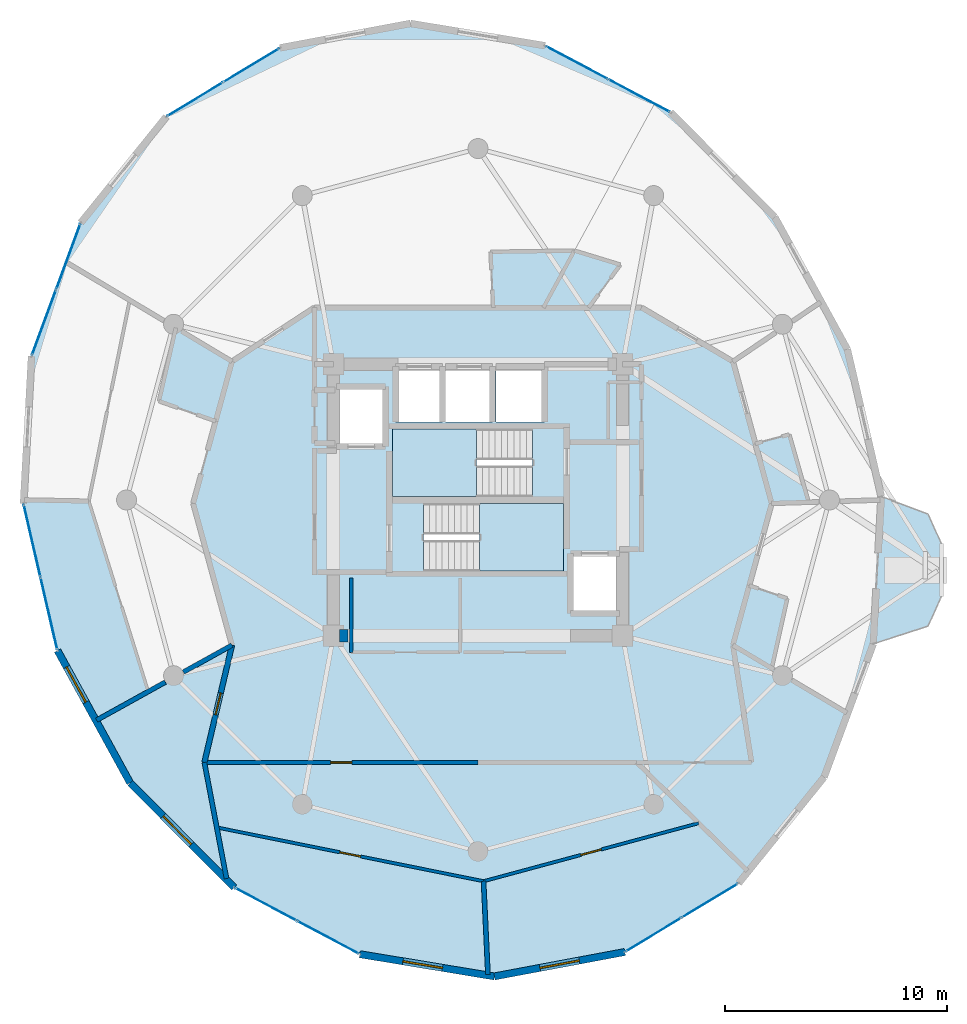
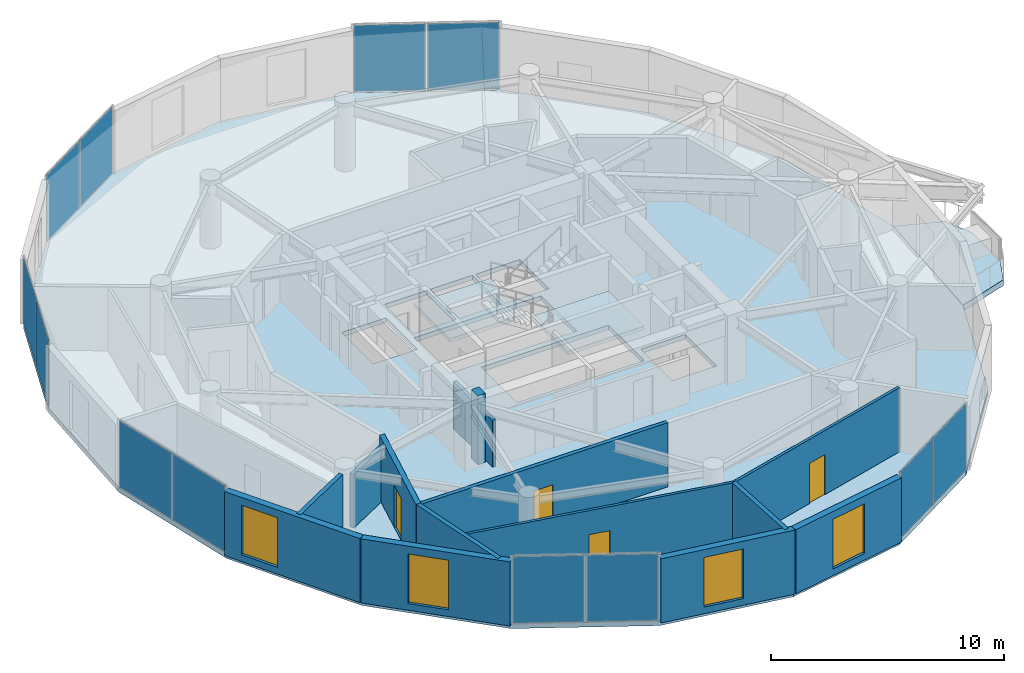
# One storey, part 16 of 21: 14 walls, 12 plates, 4 doors, 4 slabs, 4 windows, 8 openings, 8 elements without a shape of their own.
"""IFC4 building model written with IfcOpenShell, lengths in metres."""

from ifc_helpers import new_model, si_unit, direction, frame, frame_2d, origin, origin_2d, place, context, subcontext, project, spatial, polyline, rectangle, outline, extrude, source, transform, mapped, material, layer, layer_set, type_object, element, fill, aggregate, save


model = new_model("IFC4")

# Units and contexts
model_context = context("Model", 3, precision=1e-05, world=origin(), true_north=direction((0.0, 1.0)))
body_context = subcontext(model_context, "Body", "Model", "MODEL_VIEW")
ifc_project = project(units=[si_unit("LENGTHUNIT", "METRE"), si_unit("AREAUNIT", "SQUARE_METRE"), si_unit("VOLUMEUNIT", "CUBIC_METRE"), si_unit("PLANEANGLEUNIT", "RADIAN"), si_unit("MASSUNIT", "GRAM", prefix="KILO")], contexts=[model_context])

# Site, building, storey
site_placement = place(None, origin())
site = spatial("IfcSite", under=ifc_project, at=site_placement, CompositionType="ELEMENT")
building_placement = place(site_placement, origin())
building = spatial("IfcBuilding", under=site, at=building_placement, Name="Solvirekh Grand Hotel", CompositionType="ELEMENT")
storey_placement = place(building_placement, frame((0.0, 0.0, 216.39990234375)))
storey = spatial("IfcBuildingStorey", under=building, at=storey_placement, Name="L56", CompositionType="ELEMENT", Elevation=216.39990234375)

# Slab
ifc_material_1 = material(Name="Concrete C50/60", Category="concrete")
ifc_layer_1 = layer(ifc_material_1, 0.31005859375)
ifc_layer_set_1 = layer_set([ifc_layer_1], Name="Concrete C50/60")
slab_type_1 = type_object("IfcSlabType", Name="ExtHornSkyGarden_310", PredefinedType="FLOOR", material=ifc_layer_set_1)
slab_1_placement = place(storey_placement, frame((0.0, 0.0, -0.309814453125)))
element("IfcSlab", 1, at=slab_1_placement, inside=storey, type_object=slab_type_1, Name="L56 east horn sky-garden deck", PredefinedType="FLOOR", context=body_context, shape_type="SweptSolid", body=[
    extrude(outline(polyline([(18.12890625, 0.160888671875), (17.76806640625, -6.466064453125), (20.22900390625, -5.6708984375), (20.8291015625, -4.344970703125), (20.8291015625, -1.9599609375), (20.22900390625, -0.634033203125), (18.12890625, 0.160888671875)])), origin(), (0.0, 0.0, 1.0), 0.309814453125),
])

# Stair, slab
ifc_material_2 = material(Name="Concrete C40/50", Category="concrete")
stair_type = type_object("IfcStairType", Name="Stair_Core_1450", PredefinedType="HALF_TURN_STAIR", material=ifc_material_2)
stair_1_placement = place(storey_placement, origin())
stair_1 = element("IfcStair", 2, at=stair_1_placement, inside=storey, type_object=stair_type, Name="L56 Enclosed exit stair ST-1", PredefinedType="HALF_TURN_STAIR")
ifc_layer_2 = layer(ifc_material_2, 0.199951171875)
ifc_layer_set_2 = layer_set([ifc_layer_2], Name="Concrete C40/50")
slab_type_2 = type_object("IfcSlabType", Name="Landing_Stair_200", PredefinedType="LANDING", material=ifc_layer_set_2)
slab_2_placement = place(storey_placement, frame((0.0, 0.0, 1.60009765625)))
slab_2 = element("IfcSlab", 3, at=slab_2_placement, type_object=slab_type_2, Name="ST-1 landing 1", PredefinedType="LANDING", context=body_context, shape_type="SweptSolid", body=[
    extrude(outline(polyline([(0.070068359375, -3.199951171875), (3.85009765625, -3.199951171875), (3.85009765625, -0.14990234375), (0.070068359375, -0.14990234375), (0.070068359375, -3.199951171875)])), origin(), (0.0, 0.0, 1.0), 0.199951171875),
])
aggregate(stair_1, [slab_2])

stair_2_placement = place(storey_placement, origin())
stair_2 = element("IfcStair", 4, at=stair_2_placement, inside=storey, type_object=stair_type, Name="L56 Enclosed exit stair ST-2", PredefinedType="HALF_TURN_STAIR")
slab_3_placement = place(storey_placement, frame((0.0, 0.0, 1.60009765625)))
slab_3 = element("IfcSlab", 5, at=slab_3_placement, type_object=slab_type_2, Name="ST-2 landing 1", PredefinedType="LANDING", context=body_context, shape_type="SweptSolid", body=[
    extrude(outline(polyline([(-0.070068359375, 3.199951171875), (-3.85009765625, 3.199951171875), (-3.85009765625, 0.14990234375), (-0.070068359375, 0.14990234375), (-0.070068359375, 3.199951171875)])), origin(), (0.0, 0.0, 1.0), 0.199951171875),
])
aggregate(stair_2, [slab_3])

# Slab
ifc_layer_3 = layer(ifc_material_2, 0.239990234375)
ifc_layer_set_3 = layer_set([ifc_layer_3], Name="Concrete C40/50")
slab_type_3 = type_object("IfcSlabType", Name="Slab_GuestZ3_240", PredefinedType="FLOOR", material=ifc_layer_set_3)
slab_4_placement = place(storey_placement, frame((0.0, 0.0, -0.239990234375)))
element("IfcSlab", 6, at=slab_4_placement, inside=storey, type_object=slab_type_3, Name="L56 structural floor slab", PredefinedType="FLOOR", context=body_context, shape_type="SweptSolid", body=[
    extrude(outline(polyline([(6.60205078125, -20.322021484375), (11.7080078125, -17.23388671875), (15.555908203125, -12.4599609375), (17.76806640625, -6.466064453125), (18.12890625, 0.160888671875), (16.60205078125, 6.77197265625), (13.337890625, 12.719970703125), (8.655029296875, 17.423095703125), (3.012939453125, 20.4208984375), (-3.037109375, 21.419921875), (-8.902099609375, 20.322021484375), (-14.008056640625, 17.23388671875), (-17.85595703125, 12.4599609375), (-20.068115234375, 6.466064453125), (-20.428955078125, -0.160888671875), (-18.902099609375, -6.77197265625), (-15.637939453125, -12.719970703125), (-10.955078125, -17.423095703125), (-5.31298828125, -20.4208984375), (0.737060546875, -21.419921875), (6.60205078125, -20.322021484375)]), holes=[polyline([(-2.444091796875, -0.14990234375), (3.85009765625, -0.14990234375), (3.85009765625, -3.199951171875), (-2.444091796875, -3.199951171875), (-2.444091796875, -0.14990234375)]), polyline([(2.444091796875, 0.14990234375), (-3.85009765625, 0.14990234375), (-3.85009765625, 3.199951171875), (2.444091796875, 3.199951171875), (2.444091796875, 0.14990234375)]), polyline([(-3.699951171875, 6.0), (-1.60009765625, 6.0), (-1.60009765625, 3.5), (-3.699951171875, 3.5), (-3.699951171875, 6.0)]), polyline([(-1.449951171875, 6.0), (0.64990234375, 6.0), (0.64990234375, 3.5), (-1.449951171875, 3.5), (-1.449951171875, 6.0)]), polyline([(0.800048828125, 6.0), (3.0, 6.0), (3.0, 3.5), (0.800048828125, 3.5), (0.800048828125, 6.0)]), polyline([(-6.35009765625, 5.10009765625), (-4.14990234375, 5.10009765625), (-4.14990234375, 2.39990234375), (-6.35009765625, 2.39990234375), (-6.35009765625, 5.10009765625)]), polyline([(4.14990234375, -2.39990234375), (6.35009765625, -2.39990234375), (6.35009765625, -5.10009765625), (4.14990234375, -5.10009765625), (4.14990234375, -2.39990234375)])]), origin(), (0.0, 0.0, 1.0), 0.239990234375),
])

# Curtain wall, plates
ifc_material_3 = material(Name="Anodized Bronze Aluminium 6063-T6", Category="aluminium")
ifc_layer_4 = layer(ifc_material_3, 0.159912109375)
ifc_layer_set_4 = layer_set([ifc_layer_4], Name="Anodized Bronze Aluminium 6063-T6")
curtain_wall_type = type_object("IfcCurtainWallType", Name="CW_Sys4_HighZoneFlushBronzeCW", PredefinedType="NOTDEFINED", material=ifc_layer_set_4)
curtain_wall_1_placement = place(storey_placement, origin())
curtain_wall_1 = element("IfcCurtainWall", 7, at=curtain_wall_1_placement, inside=storey, type_object=curtain_wall_type, Name="L56 unitised bronze-glass curtain wall CW-L56-C15", PredefinedType="NOTDEFINED")
ifc_material_4 = material(Name="Low-E Tinted Bronze Laminated Glass", Category="aluminium")
ifc_layer_5 = layer(ifc_material_4, 0.033935546875)
ifc_layer_set_5 = layer_set([ifc_layer_5], Name="Low-E Tinted Bronze Laminated Glass")
plate_type = type_object("IfcPlateType", Name="CWPanel_High_34", PredefinedType="CURTAIN_PANEL", material=ifc_layer_set_5)
shared_shape_1 = source(origin(), body_context, "Body", "SweptSolid", [
    extrude(rectangle(XDim=3.302490234375, YDim=0.033935546875, at=origin_2d()), origin(), (0.0, 0.0, 1.0), 3.489990234375),
])
plate_1_placement = place(storey_placement, frame((-20.0439453125, -1.828369140625, 0.05517578125), z_axis=(0.0, 0.0, 1.0), x_axis=(0.22505325243, -0.974346464853, 0.0)))
plate_1 = element("IfcPlate", 8, at=plate_1_placement, type_object=plate_type, Name="U04 panel 1.1", PredefinedType="CURTAIN_PANEL", context=body_context, shape_type="MappedRepresentation", body=[
    mapped(shared_shape_1, transform((0.0, 0.0, 0.0), x_axis=(1.0, 0.0, 0.0), y_axis=(0.0, 1.0, 0.0), z_axis=(0.0, 0.0, 1.0), scale=1.0)),
])
plate_2_placement = place(storey_placement, frame((-19.287109375, -5.104736328125, 0.05517578125), z_axis=(0.0, 0.0, 1.0), x_axis=(0.22505325243, -0.974346464853, 0.0)))
plate_2 = element("IfcPlate", 9, at=plate_2_placement, type_object=plate_type, Name="U04 panel 2.1", PredefinedType="CURTAIN_PANEL", context=body_context, shape_type="MappedRepresentation", body=[
    mapped(shared_shape_1, transform((0.0, 0.0, 0.0), x_axis=(1.0, 0.0, 0.0), y_axis=(0.0, 1.0, 0.0), z_axis=(0.0, 0.0, 1.0), scale=1.0)),
])
aggregate(curtain_wall_1, [plate_1, plate_2])

curtain_wall_2_placement = place(storey_placement, origin())
curtain_wall_2 = element("IfcCurtainWall", 10, at=curtain_wall_2_placement, inside=storey, type_object=curtain_wall_type, Name="L56 unitised bronze-glass curtain wall CW-L56-C01", PredefinedType="NOTDEFINED")
shared_shape_2 = source(origin(), body_context, "Body", "SweptSolid", [
    extrude(rectangle(XDim=2.8935546875, YDim=0.033935546875, at=origin_2d()), origin(), (0.0, 0.0, 1.0), 3.489990234375),
])
plate_3_placement = place(storey_placement, frame((7.891357421875, -19.542236328125, 0.05517578125), z_axis=(0.0, 0.0, 1.0), x_axis=(0.855683662575, 0.517499245993, 0.0)))
plate_3 = element("IfcPlate", 11, at=plate_3_placement, type_object=plate_type, Name="U04 panel 1.1", PredefinedType="CURTAIN_PANEL", context=body_context, shape_type="MappedRepresentation", body=[
    mapped(shared_shape_2, transform((0.0, 0.0, 0.0), x_axis=(1.0, 0.0, 0.0), y_axis=(0.0, 1.0, 0.0), z_axis=(0.0, 0.0, 1.0), scale=1.0)),
])
plate_4_placement = place(storey_placement, frame((10.418701171875, -18.013671875, 0.05517578125), z_axis=(0.0, 0.0, 1.0), x_axis=(0.855683662575, 0.517499245993, 0.0)))
plate_4 = element("IfcPlate", 12, at=plate_4_placement, type_object=plate_type, Name="U04 panel 2.1", PredefinedType="CURTAIN_PANEL", context=body_context, shape_type="MappedRepresentation", body=[
    mapped(shared_shape_2, transform((0.0, 0.0, 0.0), x_axis=(1.0, 0.0, 0.0), y_axis=(0.0, 1.0, 0.0), z_axis=(0.0, 0.0, 1.0), scale=1.0)),
])
aggregate(curtain_wall_2, [plate_3, plate_4])

curtain_wall_3_placement = place(storey_placement, origin())
curtain_wall_3 = element("IfcCurtainWall", 13, at=curtain_wall_3_placement, inside=storey, type_object=curtain_wall_type, Name="L56 unitised bronze-glass curtain wall CW-L56-C11", PredefinedType="NOTDEFINED")
plate_5_placement = place(storey_placement, frame((-10.19140625, 19.542236328125, 0.05517578125), z_axis=(0.0, 0.0, 1.0), x_axis=(-0.855683662575, -0.517499245993, 0.0)))
plate_5 = element("IfcPlate", 14, at=plate_5_placement, type_object=plate_type, Name="U04 panel 1.1", PredefinedType="CURTAIN_PANEL", context=body_context, shape_type="MappedRepresentation", body=[
    mapped(shared_shape_2, transform((0.0, 0.0, 0.0), x_axis=(1.0, 0.0, 0.0), y_axis=(0.0, 1.0, 0.0), z_axis=(0.0, 0.0, 1.0), scale=1.0)),
])
plate_6_placement = place(storey_placement, frame((-12.71875, 18.013671875, 0.05517578125), z_axis=(0.0, 0.0, 1.0), x_axis=(-0.855683662575, -0.517499245993, 0.0)))
plate_6 = element("IfcPlate", 15, at=plate_6_placement, type_object=plate_type, Name="U04 panel 2.1", PredefinedType="CURTAIN_PANEL", context=body_context, shape_type="MappedRepresentation", body=[
    mapped(shared_shape_2, transform((0.0, 0.0, 0.0), x_axis=(1.0, 0.0, 0.0), y_axis=(0.0, 1.0, 0.0), z_axis=(0.0, 0.0, 1.0), scale=1.0)),
])
aggregate(curtain_wall_3, [plate_5, plate_6])

curtain_wall_4_placement = place(storey_placement, origin())
curtain_wall_4 = element("IfcCurtainWall", 16, at=curtain_wall_4_placement, inside=storey, type_object=curtain_wall_type, Name="L56 unitised bronze-glass curtain wall CW-L56-C08", PredefinedType="NOTDEFINED")
shared_shape_3 = source(origin(), body_context, "Body", "SweptSolid", [
    extrude(rectangle(XDim=3.1044921875, YDim=0.033935546875, at=origin_2d()), origin(), (0.0, 0.0, 1.0), 3.489990234375),
])
plate_7_placement = place(storey_placement, frame((7.231201171875, 18.179443359375, 0.05517578125), z_axis=(0.0, 0.0, 1.0), x_axis=(-0.883071132447, 0.469239144829, 0.0)))
plate_7 = element("IfcPlate", 17, at=plate_7_placement, type_object=plate_type, Name="U04 panel 1.1", PredefinedType="CURTAIN_PANEL", context=body_context, shape_type="MappedRepresentation", body=[
    mapped(shared_shape_3, transform((0.0, 0.0, 0.0), x_axis=(1.0, 0.0, 0.0), y_axis=(0.0, 1.0, 0.0), z_axis=(0.0, 0.0, 1.0), scale=1.0)),
])
plate_8_placement = place(storey_placement, frame((4.436767578125, 19.66455078125, 0.05517578125), z_axis=(0.0, 0.0, 1.0), x_axis=(-0.883071132447, 0.469239144829, 0.0)))
plate_8 = element("IfcPlate", 18, at=plate_8_placement, type_object=plate_type, Name="U04 panel 2.1", PredefinedType="CURTAIN_PANEL", context=body_context, shape_type="MappedRepresentation", body=[
    mapped(shared_shape_3, transform((0.0, 0.0, 0.0), x_axis=(1.0, 0.0, 0.0), y_axis=(0.0, 1.0, 0.0), z_axis=(0.0, 0.0, 1.0), scale=1.0)),
])
aggregate(curtain_wall_4, [plate_7, plate_8])

curtain_wall_5_placement = place(storey_placement, origin())
curtain_wall_5 = element("IfcCurtainWall", 19, at=curtain_wall_5_placement, inside=storey, type_object=curtain_wall_type, Name="L56 unitised bronze-glass curtain wall CW-L56-C13", PredefinedType="NOTDEFINED")
plate_9_placement = place(storey_placement, frame((-18.414306640625, 10.947509765625, 0.05517578125), z_axis=(0.0, 0.0, 1.0), x_axis=(-0.34621303032, -0.938155923947, 0.0)))
plate_9 = element("IfcPlate", 20, at=plate_9_placement, type_object=plate_type, Name="U04 panel 1.1", PredefinedType="CURTAIN_PANEL", context=body_context, shape_type="MappedRepresentation", body=[
    mapped(shared_shape_3, transform((0.0, 0.0, 0.0), x_axis=(1.0, 0.0, 0.0), y_axis=(0.0, 1.0, 0.0), z_axis=(0.0, 0.0, 1.0), scale=1.0)),
])
plate_10_placement = place(storey_placement, frame((-19.509765625, 7.978515625, 0.05517578125), z_axis=(0.0, 0.0, 1.0), x_axis=(-0.34621303032, -0.938155923947, 0.0)))
plate_10 = element("IfcPlate", 21, at=plate_10_placement, type_object=plate_type, Name="U04 panel 2.1", PredefinedType="CURTAIN_PANEL", context=body_context, shape_type="MappedRepresentation", body=[
    mapped(shared_shape_3, transform((0.0, 0.0, 0.0), x_axis=(1.0, 0.0, 0.0), y_axis=(0.0, 1.0, 0.0), z_axis=(0.0, 0.0, 1.0), scale=1.0)),
])
aggregate(curtain_wall_5, [plate_9, plate_10])

curtain_wall_6_placement = place(storey_placement, origin())
curtain_wall_6 = element("IfcCurtainWall", 22, at=curtain_wall_6_placement, inside=storey, type_object=curtain_wall_type, Name="L56 unitised bronze-glass curtain wall CW-L56-C18", PredefinedType="NOTDEFINED")
plate_11_placement = place(storey_placement, frame((-9.53125, -18.179443359375, 0.05517578125), z_axis=(0.0, 0.0, 1.0), x_axis=(0.883071132447, -0.469239144829, 0.0)))
plate_11 = element("IfcPlate", 23, at=plate_11_placement, type_object=plate_type, Name="U04 panel 1.1", PredefinedType="CURTAIN_PANEL", context=body_context, shape_type="MappedRepresentation", body=[
    mapped(shared_shape_3, transform((0.0, 0.0, 0.0), x_axis=(1.0, 0.0, 0.0), y_axis=(0.0, 1.0, 0.0), z_axis=(0.0, 0.0, 1.0), scale=1.0)),
])
plate_12_placement = place(storey_placement, frame((-6.73681640625, -19.66455078125, 0.05517578125), z_axis=(0.0, 0.0, 1.0), x_axis=(0.883071132447, -0.469239144829, 0.0)))
plate_12 = element("IfcPlate", 24, at=plate_12_placement, type_object=plate_type, Name="U04 panel 2.1", PredefinedType="CURTAIN_PANEL", context=body_context, shape_type="MappedRepresentation", body=[
    mapped(shared_shape_3, transform((0.0, 0.0, 0.0), x_axis=(1.0, 0.0, 0.0), y_axis=(0.0, 1.0, 0.0), z_axis=(0.0, 0.0, 1.0), scale=1.0)),
])
aggregate(curtain_wall_6, [plate_11, plate_12])

# Wall
ifc_layer_6 = layer(ifc_material_1, 0.550048828125)
ifc_layer_set_6 = layer_set([ifc_layer_6], Name="Concrete C50/60")
wall_type_1 = type_object("IfcWallType", Name="CoreWall_RC550", PredefinedType="SHEAR", material=ifc_layer_set_6)
wall_1_placement = place(storey_placement, frame((-6.22509765625, -6.10009765625, 0.0), z_axis=(0.0, 0.0, 1.0), x_axis=(1.0, 0.0, 0.0)))
element("IfcWall", 25, at=wall_1_placement, inside=storey, type_object=wall_type_1, Name="L56 core corner shear wall SW-S", PredefinedType="SHEAR", context=body_context, shape_type="SweptSolid", body=[
    extrude(rectangle(XDim=0.375, YDim=0.550048828125, at=frame_2d((0.1875, 0.0))), origin(), (0.0, 0.0, 1.0), 3.60009765625),
])

# Wall, opening, window
ifc_material_5 = material(Name="Precast concrete C45/55", Category="concrete")
ifc_layer_7 = layer(ifc_material_5, 0.320068359375)
ifc_layer_set_7 = layer_set([ifc_layer_7], Name="Precast concrete C45/55")
wall_type_2 = type_object("IfcWallType", Name="ExtLobbyWall_RC320", PredefinedType="SOLIDWALL", material=ifc_layer_set_7)
wall_2_placement = place(storey_placement, frame((-15.637939453125, -12.719970703125, 0.0), z_axis=(0.0, 0.0, 1.0), x_axis=(-0.481099413802, 0.876666044762, 0.0)))
wall_2 = element("IfcWall", 26, at=wall_2_placement, inside=storey, type_object=wall_type_2, Name="L56 exterior structural wall chord 16", PredefinedType="SOLIDWALL", context=body_context, shape_type="SweptSolid", body=[
    extrude(rectangle(XDim=6.784912109375, YDim=0.320068359375, at=frame_2d((3.392578125, 0.0))), origin(), (0.0, 0.0, 1.0), 3.360107421875),
])
opening_1_placement = place(wall_2_placement, frame((4.14208984375, 0.0, 0.35009765625)))
opening_1 = element("IfcOpeningElement", 27, at=opening_1_placement, cuts=wall_2, Name="Opening W02", PredefinedType="OPENING", context=body_context, shape_type="SweptSolid", body=[
    extrude(rectangle(XDim=1.800048828125, YDim=2.60009765625, at=frame_2d((0.89990234375, 1.300048828125))), frame((0.0, 0.169921875, 0.0), z_axis=(0.0, -1.0, 0.0), x_axis=(1.0, 0.0, 0.0)), (0.0, 0.0, 1.0), 0.340087890625),
])
window_type = type_object("IfcWindowType", Name="Win_LobbyExt_1800X2600", PartitioningType="SINGLE_PANEL", PredefinedType="WINDOW", material=ifc_material_4)
window_1_placement = place(opening_1_placement, origin())
window_1 = element("IfcWindow", 28, at=window_1_placement, inside=storey, type_object=window_type, Name="L56 panoramic bronze-framed window 16", OverallHeight=2.60009765625, OverallWidth=1.800048828125, PartitioningType="SINGLE_PANEL", PredefinedType="WINDOW", context=body_context, shape_type="SweptSolid", body=[
    extrude(rectangle(XDim=1.800048828125, YDim=2.60009765625, at=frame_2d((0.89990234375, 1.300048828125))), frame((0.0, 0.030029296875, 0.0), z_axis=(0.0, -1.0, 0.0), x_axis=(1.0, 0.0, 0.0)), (0.0, 0.0, 1.0), 0.06005859375),
])
fill(opening_1, window_1)

wall_3_placement = place(storey_placement, frame((-10.955078125, -17.423095703125, 0.0), z_axis=(0.0, 0.0, 1.0), x_axis=(-0.705578543979, 0.708631722601, 0.0)))
wall_3 = element("IfcWall", 29, at=wall_3_placement, inside=storey, type_object=wall_type_2, Name="L56 exterior structural wall chord 17", PredefinedType="SOLIDWALL", context=body_context, shape_type="SweptSolid", body=[
    extrude(rectangle(XDim=6.636962890625, YDim=0.320068359375, at=frame_2d((3.318359375, 0.0))), origin(), (0.0, 0.0, 1.0), 3.360107421875),
])
opening_2_placement = place(wall_3_placement, frame((2.736083984375, 0.0, 0.35009765625)))
opening_2 = element("IfcOpeningElement", 30, at=opening_2_placement, cuts=wall_3, Name="Opening W02", PredefinedType="OPENING", context=body_context, shape_type="SweptSolid", body=[
    extrude(rectangle(XDim=1.800048828125, YDim=2.60009765625, at=frame_2d((0.89990234375, 1.300048828125))), frame((0.0, 0.169921875, 0.0), z_axis=(0.0, -1.0, 0.0), x_axis=(1.0, 0.0, 0.0)), (0.0, 0.0, 1.0), 0.340087890625),
])
window_2_placement = place(opening_2_placement, origin())
window_2 = element("IfcWindow", 31, at=window_2_placement, inside=storey, type_object=window_type, Name="L56 panoramic bronze-framed window 17", OverallHeight=2.60009765625, OverallWidth=1.800048828125, PartitioningType="SINGLE_PANEL", PredefinedType="WINDOW", context=body_context, shape_type="SweptSolid", body=[
    extrude(rectangle(XDim=1.800048828125, YDim=2.60009765625, at=frame_2d((0.89990234375, 1.300048828125))), frame((0.0, 0.030029296875, 0.0), z_axis=(0.0, -1.0, 0.0), x_axis=(1.0, 0.0, 0.0)), (0.0, 0.0, 1.0), 0.06005859375),
])
fill(opening_2, window_2)

wall_4_placement = place(storey_placement, frame((0.737060546875, -21.419921875, 0.0), z_axis=(0.0, 0.0, 1.0), x_axis=(-0.986639234259, 0.162920291618, 0.0)))
wall_4 = element("IfcWall", 32, at=wall_4_placement, inside=storey, type_object=wall_type_2, Name="L56 exterior structural wall chord 19", PredefinedType="SOLIDWALL", context=body_context, shape_type="SweptSolid", body=[
    extrude(rectangle(XDim=6.132080078125, YDim=0.320068359375, at=frame_2d((3.06591796875, 0.0))), origin(), (0.0, 0.0, 1.0), 3.360107421875),
])
opening_3_placement = place(wall_4_placement, frame((2.365966796875, 0.0, 0.35009765625)))
opening_3 = element("IfcOpeningElement", 33, at=opening_3_placement, cuts=wall_4, Name="Opening W02", PredefinedType="OPENING", context=body_context, shape_type="SweptSolid", body=[
    extrude(rectangle(XDim=1.800048828125, YDim=2.60009765625, at=frame_2d((0.89990234375, 1.300048828125))), frame((0.0, 0.169921875, 0.0), z_axis=(0.0, -1.0, 0.0), x_axis=(1.0, 0.0, 0.0)), (0.0, 0.0, 1.0), 0.340087890625),
])
window_3_placement = place(opening_3_placement, origin())
window_3 = element("IfcWindow", 34, at=window_3_placement, inside=storey, type_object=window_type, Name="L56 panoramic bronze-framed window 19", OverallHeight=2.60009765625, OverallWidth=1.800048828125, PartitioningType="SINGLE_PANEL", PredefinedType="WINDOW", context=body_context, shape_type="SweptSolid", body=[
    extrude(rectangle(XDim=1.800048828125, YDim=2.60009765625, at=frame_2d((0.89990234375, 1.300048828125))), frame((0.0, 0.030029296875, 0.0), z_axis=(0.0, -1.0, 0.0), x_axis=(1.0, 0.0, 0.0)), (0.0, 0.0, 1.0), 0.06005859375),
])
fill(opening_3, window_3)

wall_5_placement = place(storey_placement, frame((6.60205078125, -20.322021484375, 0.0), z_axis=(0.0, 0.0, 1.0), x_axis=(-0.982926338905, -0.183999489908, 0.0)))
wall_5 = element("IfcWall", 35, at=wall_5_placement, inside=storey, type_object=wall_type_2, Name="L56 exterior structural wall chord 20", PredefinedType="SOLIDWALL", context=body_context, shape_type="SweptSolid", body=[
    extrude(rectangle(XDim=5.966796875, YDim=0.320068359375, at=frame_2d((2.9833984375, 0.0))), origin(), (0.0, 0.0, 1.0), 3.360107421875),
])
opening_4_placement = place(wall_5_placement, frame((2.0830078125, 0.0, 0.35009765625)))
opening_4 = element("IfcOpeningElement", 36, at=opening_4_placement, cuts=wall_5, Name="Opening W02", PredefinedType="OPENING", context=body_context, shape_type="SweptSolid", body=[
    extrude(rectangle(XDim=1.800048828125, YDim=2.60009765625, at=frame_2d((0.89990234375, 1.300048828125))), frame((0.0, 0.169921875, 0.0), z_axis=(0.0, -1.0, 0.0), x_axis=(1.0, 0.0, 0.0)), (0.0, 0.0, 1.0), 0.340087890625),
])
window_4_placement = place(opening_4_placement, origin())
window_4 = element("IfcWindow", 37, at=window_4_placement, inside=storey, type_object=window_type, Name="L56 panoramic bronze-framed window 20", OverallHeight=2.60009765625, OverallWidth=1.800048828125, PartitioningType="SINGLE_PANEL", PredefinedType="WINDOW", context=body_context, shape_type="SweptSolid", body=[
    extrude(rectangle(XDim=1.800048828125, YDim=2.60009765625, at=frame_2d((0.89990234375, 1.300048828125))), frame((0.0, 0.030029296875, 0.0), z_axis=(0.0, -1.0, 0.0), x_axis=(1.0, 0.0, 0.0)), (0.0, 0.0, 1.0), 0.06005859375),
])
fill(opening_4, window_4)

# Wall
ifc_material_6 = material(Name="Acoustic Gypsum Partition Assembly")
ifc_layer_8 = layer(ifc_material_6, 0.1650390625)
ifc_layer_set_8 = layer_set([ifc_layer_8], Name="Acoustic Gypsum Partition Assembly")
wall_type_3 = type_object("IfcWallType", Name="Part_BOH_165", PredefinedType="PARTITIONING", material=ifc_layer_set_8)
wall_6_placement = place(storey_placement, frame((-5.699951171875, -3.5, 0.0), z_axis=(0.0, 0.0, 1.0), x_axis=(0.0, -1.0, 0.0)))
element("IfcWall", 38, at=wall_6_placement, inside=storey, type_object=wall_type_3, Name="L56 High-Zone Housekeeping Linen Room wall 4", PredefinedType="PARTITIONING", context=body_context, shape_type="SweptSolid", body=[
    extrude(rectangle(XDim=3.35009765625, YDim=0.1650390625, at=frame_2d((1.675048828125, 0.0))), origin(), (0.0, 0.0, 1.0), 2.445068359375),
])

# Wall, opening, door
ifc_layer_9 = layer(ifc_material_6, 0.239990234375)
ifc_layer_set_9 = layer_set([ifc_layer_9], Name="Acoustic Gypsum Partition Assembly")
wall_type_4 = type_object("IfcWallType", Name="Part_Corridor_240", PredefinedType="PARTITIONING", material=ifc_layer_set_9)
wall_7_placement = place(storey_placement, frame((-11.05810546875, -6.52490234375, 0.0), z_axis=(0.0, 0.0, 1.0), x_axis=(-0.229167390813, -0.973387028364, 0.0)))
wall_7 = element("IfcWall", 39, at=wall_7_placement, inside=storey, type_object=wall_type_4, Name="L56 L56 South-West Study Lounge entrance wall", PredefinedType="PARTITIONING", context=body_context, shape_type="SweptSolid", body=[
    extrude(rectangle(XDim=5.41943359375, YDim=0.239990234375, at=frame_2d((2.709716796875, 0.0))), origin(), (0.0, 0.0, 1.0), 3.360107421875),
])
opening_5_placement = place(wall_7_placement, frame((2.2099609375, 0.0, 0.0)))
opening_5 = element("IfcOpeningElement", 40, at=opening_5_placement, cuts=wall_7, Name="Opening D07", PredefinedType="OPENING", context=body_context, shape_type="SweptSolid", body=[
    extrude(rectangle(XDim=1.0, YDim=2.199951171875, at=frame_2d((0.5, 1.10009765625))), frame((0.0, 0.1298828125, 0.0), z_axis=(0.0, -1.0, 0.0), x_axis=(1.0, 0.0, 0.0)), (0.0, 0.0, 1.0), 0.260009765625),
])
ifc_material_7 = material(Name="Fire-Rated Steel Door Assembly", Category="steel")
door_type_1 = type_object("IfcDoorType", Name="Door_GuestEntry_1000X2200", OperationType="NOTDEFINED", PredefinedType="DOOR", material=ifc_material_7)
door_1_placement = place(opening_5_placement, origin())
door_1 = element("IfcDoor", 41, at=door_1_placement, inside=storey, type_object=door_type_1, Name="L56 L56 South-West Study Lounge entrance door", OperationType="SINGLE_SWING_RIGHT", OverallHeight=2.199951171875, OverallWidth=1.0, PredefinedType="DOOR", context=body_context, shape_type="SweptSolid", body=[
    extrude(rectangle(XDim=1.0, YDim=2.199951171875, at=frame_2d((0.5, 1.10009765625))), frame((0.0, 0.02490234375, 0.0), z_axis=(0.0, -1.0, 0.0), x_axis=(1.0, 0.0, 0.0)), (0.0, 0.0, 1.0), 0.050048828125),
])
fill(opening_5, door_1)

ifc_layer_10 = layer(ifc_material_6, 0.18994140625)
ifc_layer_set_10 = layer_set([ifc_layer_10], Name="Acoustic Gypsum Partition Assembly")
wall_type_5 = type_object("IfcWallType", Name="Part_GuestDemise_190", PredefinedType="PARTITIONING", material=ifc_layer_set_10)
wall_8_placement = place(storey_placement, frame((-12.300048828125, -11.800048828125, 0.0), z_axis=(0.0, 0.0, 1.0), x_axis=(1.0, 0.0, 0.0)))
wall_8 = element("IfcWall", 42, at=wall_8_placement, inside=storey, type_object=wall_type_5, Name="L56 L56 Bespoke Atelier Room entrance wall", PredefinedType="PARTITIONING", context=body_context, shape_type="SweptSolid", body=[
    extrude(rectangle(XDim=12.300048828125, YDim=0.18994140625, at=frame_2d((6.14990234375, 0.0))), origin(), (0.0, 0.0, 1.0), 3.360107421875),
])
opening_6_placement = place(wall_8_placement, frame((5.675048828125, 0.0, 0.0)))
opening_6 = element("IfcOpeningElement", 43, at=opening_6_placement, cuts=wall_8, Name="Opening D10", PredefinedType="OPENING", context=body_context, shape_type="SweptSolid", body=[
    extrude(rectangle(XDim=0.949951171875, YDim=2.10009765625, at=frame_2d((0.47509765625, 1.050048828125))), frame((0.0, 0.10498046875, 0.0), z_axis=(0.0, -1.0, 0.0), x_axis=(1.0, 0.0, 0.0)), (0.0, 0.0, 1.0), 0.2099609375),
])
door_type_2 = type_object("IfcDoorType", Name="Door_RoomInt_950X2100", OperationType="NOTDEFINED", PredefinedType="DOOR", material=ifc_material_3)
door_2_placement = place(opening_6_placement, origin())
door_2 = element("IfcDoor", 44, at=door_2_placement, inside=storey, type_object=door_type_2, Name="L56 L56 Bespoke Atelier Room entrance door", OperationType="SINGLE_SWING_LEFT", OverallHeight=2.10009765625, OverallWidth=0.949951171875, PredefinedType="DOOR", context=body_context, shape_type="SweptSolid", body=[
    extrude(rectangle(XDim=0.949951171875, YDim=2.10009765625, at=frame_2d((0.47509765625, 1.050048828125))), frame((0.0, 0.02490234375, 0.0), z_axis=(0.0, -1.0, 0.0), x_axis=(1.0, 0.0, 0.0)), (0.0, 0.0, 1.0), 0.050048828125),
])
fill(opening_6, door_2)

ifc_layer_11 = layer(ifc_material_6, 0.135009765625)
ifc_layer_set_11 = layer_set([ifc_layer_11], Name="Acoustic Gypsum Partition Assembly")
wall_type_6 = type_object("IfcWallType", Name="Part_RoomInt_135", PredefinedType="PARTITIONING", material=ifc_layer_set_11)
wall_9_placement = place(storey_placement, frame((-11.742919921875, -14.720947265625, 0.0), z_axis=(0.0, 0.0, 1.0), x_axis=(0.980290248813, -0.197562719363, 0.0)))
wall_9 = element("IfcWall", 45, at=wall_9_placement, inside=storey, type_object=wall_type_6, Name="L56 L56 South Horizon Conservatory bedroom screen wall", PredefinedType="PARTITIONING", context=body_context, shape_type="SweptSolid", body=[
    extrude(rectangle(XDim=12.234130859375, YDim=0.135009765625, at=frame_2d((6.1171875, 0.0))), origin(), (0.0, 0.0, 1.0), 3.360107421875),
])
opening_7_placement = place(wall_9_placement, frame((5.64208984375, 0.0, 0.0)))
opening_7 = element("IfcOpeningElement", 46, at=opening_7_placement, cuts=wall_9, Name="Opening D10", PredefinedType="OPENING", context=body_context, shape_type="SweptSolid", body=[
    extrude(rectangle(XDim=0.949951171875, YDim=2.10009765625, at=frame_2d((0.47509765625, 1.050048828125))), frame((0.0, 0.07763671875, 0.0), z_axis=(0.0, -1.0, 0.0), x_axis=(1.0, 0.0, 0.0)), (0.0, 0.0, 1.0), 0.155029296875),
])
door_3_placement = place(opening_7_placement, origin())
door_3 = element("IfcDoor", 47, at=door_3_placement, inside=storey, type_object=door_type_2, Name="L56 L56 South Horizon Conservatory master bedroom door", OperationType="SINGLE_SWING_LEFT", OverallHeight=2.10009765625, OverallWidth=0.949951171875, PredefinedType="DOOR", context=body_context, shape_type="SweptSolid", body=[
    extrude(rectangle(XDim=0.949951171875, YDim=2.10009765625, at=frame_2d((0.47509765625, 1.050048828125))), frame((0.0, 0.02490234375, 0.0), z_axis=(0.0, -1.0, 0.0), x_axis=(1.0, 0.0, 0.0)), (0.0, 0.0, 1.0), 0.050048828125),
])
fill(opening_7, door_3)

wall_10_placement = place(storey_placement, frame((0.25, -17.137939453125, 0.0), z_axis=(0.0, 0.0, 1.0), x_axis=(0.965469486356, 0.260516162484, 0.0)))
wall_10 = element("IfcWall", 48, at=wall_10_placement, inside=storey, type_object=wall_type_6, Name="L56 L56 Riverfront Tea Belvedere bedroom screen wall", PredefinedType="PARTITIONING", context=body_context, shape_type="SweptSolid", body=[
    extrude(rectangle(XDim=10.01806640625, YDim=0.135009765625, at=frame_2d((5.009033203125, 0.0))), origin(), (0.0, 0.0, 1.0), 3.360107421875),
])
opening_8_placement = place(wall_10_placement, frame((4.533935546875, 0.0, 0.0)))
opening_8 = element("IfcOpeningElement", 49, at=opening_8_placement, cuts=wall_10, Name="Opening D10", PredefinedType="OPENING", context=body_context, shape_type="SweptSolid", body=[
    extrude(rectangle(XDim=0.949951171875, YDim=2.10009765625, at=frame_2d((0.47509765625, 1.050048828125))), frame((0.0, 0.07763671875, 0.0), z_axis=(0.0, -1.0, 0.0), x_axis=(1.0, 0.0, 0.0)), (0.0, 0.0, 1.0), 0.155029296875),
])
door_4_placement = place(opening_8_placement, origin())
door_4 = element("IfcDoor", 50, at=door_4_placement, inside=storey, type_object=door_type_2, Name="L56 L56 Riverfront Tea Belvedere master bedroom door", OperationType="SINGLE_SWING_RIGHT", OverallHeight=2.10009765625, OverallWidth=0.949951171875, PredefinedType="DOOR", context=body_context, shape_type="SweptSolid", body=[
    extrude(rectangle(XDim=0.949951171875, YDim=2.10009765625, at=frame_2d((0.47509765625, 1.050048828125))), frame((0.0, 0.02490234375, 0.0), z_axis=(0.0, -1.0, 0.0), x_axis=(1.0, 0.0, 0.0)), (0.0, 0.0, 1.0), 0.050048828125),
])
fill(opening_8, door_4)

# Walls
ifc_layer_12 = layer(ifc_material_6, 0.2099609375)
ifc_layer_set_12 = layer_set([ifc_layer_12], Name="Acoustic Gypsum Partition Assembly")
wall_type_7 = type_object("IfcWallType", Name="Part_SuiteDemise_210", PredefinedType="PARTITIONING", material=ifc_layer_set_12)
wall_11_placement = place(storey_placement, frame((-11.05810546875, -6.52490234375, 0.0), z_axis=(0.0, 0.0, 1.0), x_axis=(-0.874599471032, -0.484846125354, 0.0)))
element("IfcWall", 51, at=wall_11_placement, inside=storey, type_object=wall_type_7, Name="L56 suite radial wall 8 (A)", PredefinedType="PARTITIONING", context=body_context, shape_type="SweptSolid", body=[
    extrude(rectangle(XDim=2.498046875, YDim=0.2099609375, at=frame_2d((1.2490234375, 0.0))), origin(), (0.0, 0.0, 1.0), 2.801025390625),
])
wall_12_placement = place(storey_placement, frame((-14.055908203125, -8.18603515625, 0.0), z_axis=(0.0, 0.0, 1.0), x_axis=(-0.874590976559, -0.484861447965, 0.0)))
element("IfcWall", 52, at=wall_12_placement, inside=storey, type_object=wall_type_7, Name="L56 suite radial wall 8 (B)", PredefinedType="PARTITIONING", context=body_context, shape_type="SweptSolid", body=[
    extrude(rectangle(XDim=3.52880859375, YDim=0.2099609375, at=frame_2d((1.764404296875, 0.0))), origin(), (0.0, 0.0, 1.0), 3.360107421875),
])
wall_13_placement = place(storey_placement, frame((-12.300048828125, -11.800048828125, 0.0), z_axis=(0.0, 0.0, 1.0), x_axis=(0.187399426653, -0.982283795494, 0.0)))
element("IfcWall", 53, at=wall_13_placement, inside=storey, type_object=wall_type_7, Name="L56 L56 Bespoke Atelier Room dividing partition 2", PredefinedType="PARTITIONING", context=body_context, shape_type="SweptSolid", body=[
    extrude(rectangle(XDim=5.31005859375, YDim=0.2099609375, at=frame_2d((2.655029296875, 0.0))), origin(), (0.0, 0.0, 1.0), 3.360107421875),
])
wall_14_placement = place(storey_placement, frame((0.25, -17.137939453125, 0.0), z_axis=(0.0, 0.0, 1.0), x_axis=(0.046924212766, -0.998898452425, 0.0)))
element("IfcWall", 54, at=wall_14_placement, inside=storey, type_object=wall_type_7, Name="L56 L56 South Horizon Conservatory dividing partition 1", PredefinedType="PARTITIONING", context=body_context, shape_type="SweptSolid", body=[
    extrude(rectangle(XDim=4.19873046875, YDim=0.2099609375, at=frame_2d((2.099365234375, 0.0))), origin(), (0.0, 0.0, 1.0), 3.360107421875),
])

save(model, "model.ifc")
